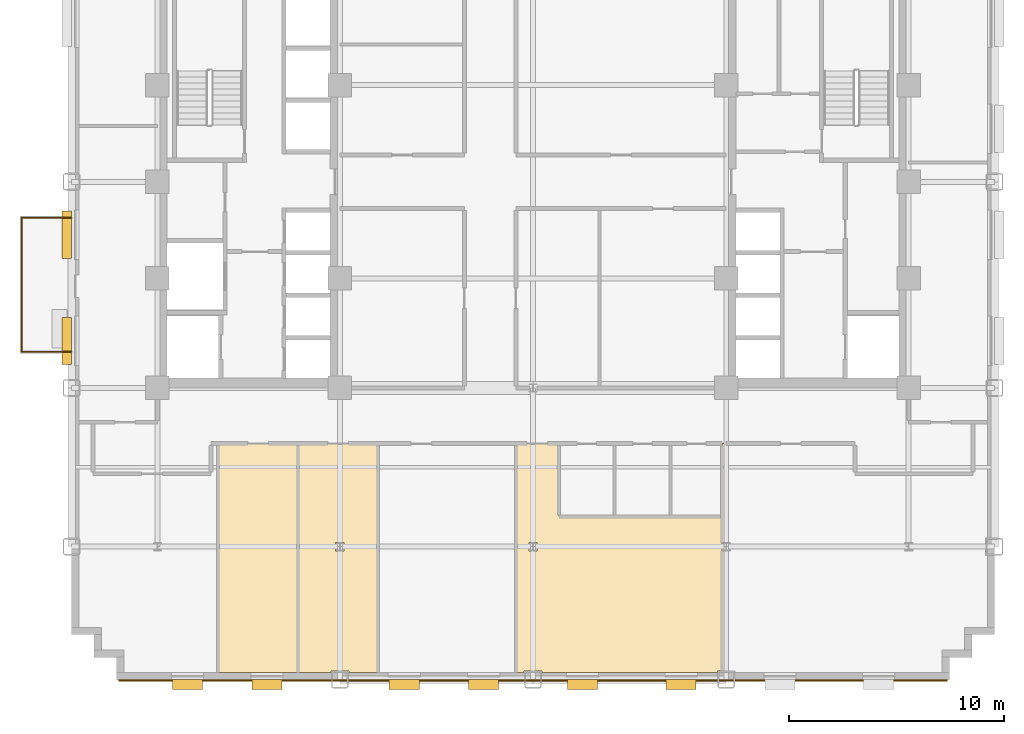
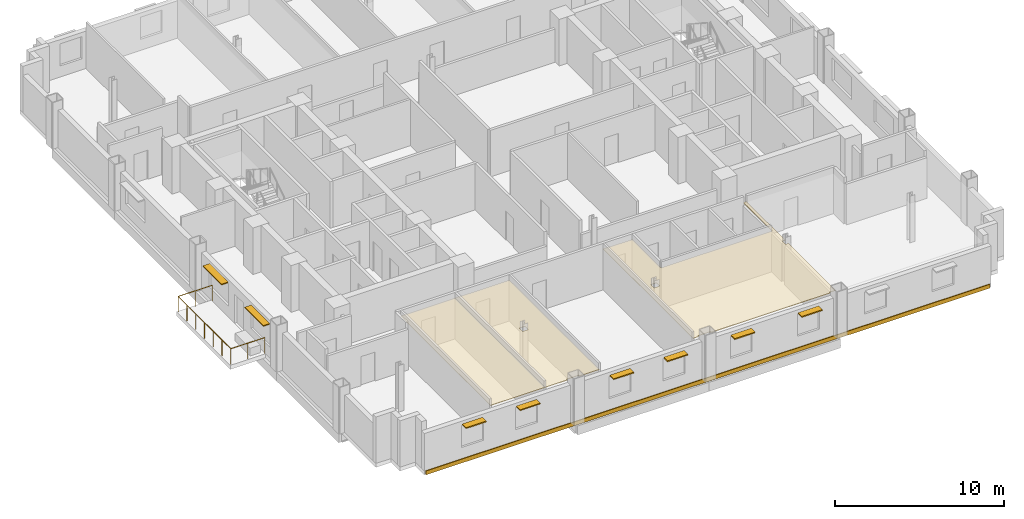
# One storey, part 11 of 14: 8 shading devices, 4 coverings, 1 railing.
"""IFC4 building model written with IfcOpenShell, lengths in metres."""

from ifc_helpers import new_model, si_unit, direction, frame, origin, origin_2d, place, context, subcontext, project, spatial, polyline, rectangle, circle, outline, extrude, source, transform, mapped, material, layer, layer_set, type_object, type_shapes, element, save


model = new_model("IFC4")

# Units and contexts
model_context = context("Model", 3, precision=1e-05, world=origin(), true_north=direction((0.0, 1.0)))
body_context = subcontext(model_context, "Body", "Model", "MODEL_VIEW")
ifc_project = project(units=[si_unit("LENGTHUNIT", "METRE"), si_unit("AREAUNIT", "SQUARE_METRE"), si_unit("VOLUMEUNIT", "CUBIC_METRE"), si_unit("PLANEANGLEUNIT", "RADIAN"), si_unit("MASSUNIT", "GRAM", prefix="KILO")], contexts=[model_context])

# Site, building, storey
site_placement = place(None, origin())
site = spatial("IfcSite", under=ifc_project, at=site_placement, CompositionType="ELEMENT")
building_placement = place(site_placement, origin())
building = spatial("IfcBuilding", under=site, at=building_placement, Name="Nuvemarco Arch Tower", CompositionType="ELEMENT")
storey_placement = place(building_placement, frame((0.0, 0.0, 67.75)))
storey = spatial("IfcBuildingStorey", under=building, at=storey_placement, Name="L17", CompositionType="ELEMENT", Elevation=67.75)

# Coverings
ifc_material_1 = material(Name="Mineral acoustic ceiling tile")
ifc_layer_1 = layer(ifc_material_1, 0.0400390625, Name="COV-ACOUSTIC-CLG")
ifc_layer_set_1 = layer_set([ifc_layer_1], Name="Mineral acoustic ceiling tile")
covering_type_1 = type_object("IfcCoveringType", Name="COV-ACOUSTIC-CLG", PredefinedType="CEILING", material=ifc_layer_set_1)
covering_1_placement = place(storey_placement, frame((0.0, 0.0, 2.85009765625)))
element("IfcCovering", 1, at=covering_1_placement, inside=storey, type_object=covering_type_1, Name="L17 suspended acoustic ceiling 2", PredefinedType="CEILING", context=body_context, shape_type="SweptSolid", body=[
    extrude(outline(polyline([(3.800048828125, -15.60009765625), (6.39990234375, -15.60009765625), (8.800048828125, -15.60009765625), (8.800048828125, -12.199951171875), (9.0, -12.199951171875), (9.0, -16.804931640625), (8.804931640625, -16.804931640625), (8.804931640625, -17.195068359375), (9.0, -17.195068359375), (9.0, -22.784912109375), (8.5849609375, -22.784912109375), (8.5849609375, -22.860107421875), (0.4150390625, -22.860107421875), (0.4150390625, -22.784912109375), (-0.4150390625, -22.784912109375), (-0.4150390625, -22.860107421875), (-0.800048828125, -22.860107421875), (-0.800048828125, -12.199951171875), (1.199951171875, -12.199951171875), (1.199951171875, -15.60009765625), (3.800048828125, -15.60009765625)]), holes=[polyline([(0.195068359375, -17.195068359375), (0.195068359375, -16.804931640625), (-0.195068359375, -16.804931640625), (-0.195068359375, -17.195068359375), (0.195068359375, -17.195068359375)])]), origin(), (0.0, 0.0, 1.0), 0.039794921875),
])
covering_2_placement = place(storey_placement, frame((0.0, 0.0, 2.85009765625)))
element("IfcCovering", 2, at=covering_2_placement, inside=storey, type_object=covering_type_1, Name="L17 suspended acoustic ceiling 8", PredefinedType="CEILING", context=body_context, shape_type="SweptSolid", body=[
    extrude(outline(polyline([(-14.669921875, -22.860107421875), (-14.669921875, -12.199951171875), (-10.93994140625, -12.199951171875), (-10.93994140625, -22.860107421875), (-14.669921875, -22.860107421875)])), origin(), (0.0, 0.0, 1.0), 0.039794921875),
])
covering_3_placement = place(storey_placement, frame((0.0, 0.0, 2.85009765625)))
element("IfcCovering", 3, at=covering_3_placement, inside=storey, type_object=covering_type_1, Name="L17 suspended acoustic ceiling 9", PredefinedType="CEILING", context=body_context, shape_type="SweptSolid", body=[
    extrude(outline(polyline([(-8.5849609375, -22.860107421875), (-8.5849609375, -22.784912109375), (-9.4150390625, -22.784912109375), (-9.4150390625, -22.860107421875), (-10.93994140625, -22.860107421875), (-10.93994140625, -12.199951171875), (-7.219970703125, -12.199951171875), (-7.219970703125, -22.860107421875), (-8.5849609375, -22.860107421875)]), holes=[polyline([(-8.804931640625, -17.195068359375), (-8.804931640625, -16.804931640625), (-9.195068359375, -16.804931640625), (-9.195068359375, -17.195068359375), (-8.804931640625, -17.195068359375)])]), origin(), (0.0, 0.0, 1.0), 0.039794921875),
])

# Railing
ifc_material_2 = material(Name="Dark anodised balustrade steel S355", Category="steel")
railing_type = type_object("IfcRailingType", Name="RL-TERR-GUARD", PredefinedType="BALUSTRADE", material=ifc_material_2)
railing_placement = place(storey_placement, frame((-21.5, -7.919921875, 0.0)))
element("IfcRailing", 4, at=railing_placement, inside=storey, type_object=railing_type, Name="L17 spiral terrace perimeter balustrade guard", PredefinedType="BALUSTRADE", context=body_context, shape_type="SweptSolid", body=[
    extrude(circle(Radius=0.02392578125, at=origin_2d()), frame((0.0, 0.0, 1.1259765625), z_axis=(-1.0, 0.0, 0.0), x_axis=(0.0, -1.0, 0.0)), (0.0, 0.0, 1.0), 2.320068359375),
    extrude(circle(Radius=0.02392578125, at=origin_2d()), frame((-2.320068359375, 0.0, 1.1259765625), z_axis=(0.0, 1.0, 0.0), x_axis=(-1.0, 0.0, 0.0)), (0.0, 0.0, 1.0), 6.239990234375),
    extrude(circle(Radius=0.02392578125, at=origin_2d()), frame((-2.320068359375, 6.239990234375, 1.1259765625), z_axis=(1.0, 0.0, 0.0), x_axis=(0.0, 1.0, 0.0)), (0.0, 0.0, 1.0), 2.320068359375),
    extrude(circle(Radius=0.02099609375, at=origin_2d()), origin(), (0.0, 0.0, 1.0), 1.101806640625),
    extrude(circle(Radius=0.02099609375, at=origin_2d()), frame((-1.16015625, 0.0, 0.0)), (0.0, 0.0, 1.0), 1.101806640625),
    extrude(circle(Radius=0.02099609375, at=origin_2d()), frame((-2.320068359375, 0.0, 0.0)), (0.0, 0.0, 1.0), 1.101806640625),
    extrude(circle(Radius=0.02099609375, at=origin_2d()), frame((-2.320068359375, 1.0400390625, 0.0)), (0.0, 0.0, 1.0), 1.101806640625),
    extrude(circle(Radius=0.02099609375, at=origin_2d()), frame((-2.320068359375, 2.080078125, 0.0)), (0.0, 0.0, 1.0), 1.101806640625),
    extrude(circle(Radius=0.02099609375, at=origin_2d()), frame((-2.320068359375, 3.1201171875, 0.0)), (0.0, 0.0, 1.0), 1.101806640625),
    extrude(circle(Radius=0.02099609375, at=origin_2d()), frame((-2.320068359375, 4.159912109375, 0.0)), (0.0, 0.0, 1.0), 1.101806640625),
    extrude(circle(Radius=0.02099609375, at=origin_2d()), frame((-2.320068359375, 5.199951171875, 0.0)), (0.0, 0.0, 1.0), 1.101806640625),
    extrude(circle(Radius=0.02099609375, at=origin_2d()), frame((-2.320068359375, 6.239990234375, 0.0)), (0.0, 0.0, 1.0), 1.101806640625),
    extrude(circle(Radius=0.02099609375, at=origin_2d()), frame((-1.16015625, 6.239990234375, 0.0)), (0.0, 0.0, 1.0), 1.101806640625),
    extrude(circle(Radius=0.02099609375, at=origin_2d()), frame((0.0, 6.239990234375, 0.0)), (0.0, 0.0, 1.0), 1.101806640625),
])

# Shading devices
ifc_material_3 = material(Name="Anodised aluminium 6063-T6", Category="aluminium")
shading_device_type_1 = type_object("IfcShadingDeviceType", Name="SHD-BRISE-SOLEIL", PredefinedType="USERDEFINED", material=ifc_material_3)
shared_shape_1 = source(origin(), body_context, "Body", "SweptSolid", [
    extrude(rectangle(XDim=2.199951171875, YDim=0.449951171875, at=origin_2d()), origin(), (0.0, 0.0, 1.0), 0.080078125),
])
type_shapes(shading_device_type_1, [shared_shape_1])
for number, where, z_axis, x_axis, name in (
    (5, (-21.715087890625, -7.41162109375, 2.425048828125), (0.0, 0.0, 1.0), (0.0, 1.0, 0.0), "L17 horizontal brise-soleil sunshade"),
    (6, (-21.715087890625, -2.470458984375, 2.425048828125), (0.0, 0.0, 1.0), (0.0, 1.0, 0.0), "L17 horizontal brise-soleil sunshade"),
):
    element("IfcShadingDevice", number, at=place(storey_placement, frame(where, z_axis=z_axis, x_axis=x_axis)), inside=storey, type_object=shading_device_type_1, Name=name, ObjectType="SUNSHADE", PredefinedType="USERDEFINED", context=body_context, shape_type="MappedRepresentation", body=[
        mapped(shared_shape_1, transform((0.0, 0.0, 0.0), scale=1.0)),
    ])
shading_device_type_2 = type_object("IfcShadingDeviceType", Name="SHD-BRISE-NARROW", PredefinedType="USERDEFINED", material=ifc_material_3)
shared_shape_2 = source(origin(), body_context, "Body", "SweptSolid", [
    extrude(rectangle(XDim=1.39990234375, YDim=0.449951171875, at=origin_2d()), origin(), (0.0, 0.0, 1.0), 0.080078125),
])
type_shapes(shading_device_type_2, [shared_shape_2])
for number, where, z_axis, x_axis, name in (
    (7, (-16.10009765625, -23.4150390625, 2.405029296875), (0.0, 0.0, 1.0), (1.0, 0.0, 0.0), "L17 horizontal brise-soleil sunshade"),
    (8, (-12.39990234375, -23.4150390625, 2.405029296875), (0.0, 0.0, 1.0), (1.0, 0.0, 0.0), "L17 horizontal brise-soleil sunshade"),
    (9, (-6.0, -23.4150390625, 2.405029296875), (0.0, 0.0, 1.0), (1.0, 0.0, 0.0), "L17 horizontal brise-soleil sunshade"),
    (10, (-2.300048828125, -23.4150390625, 2.405029296875), (0.0, 0.0, 1.0), (1.0, 0.0, 0.0), "L17 horizontal brise-soleil sunshade"),
    (11, (2.300048828125, -23.4150390625, 2.405029296875), (0.0, 0.0, 1.0), (1.0, 0.0, 0.0), "L17 horizontal brise-soleil sunshade"),
    (12, (6.89990234375, -23.4150390625, 2.405029296875), (0.0, 0.0, 1.0), (1.0, 0.0, 0.0), "L17 horizontal brise-soleil sunshade"),
):
    element("IfcShadingDevice", number, at=place(storey_placement, frame(where, z_axis=z_axis, x_axis=x_axis)), inside=storey, type_object=shading_device_type_2, Name=name, ObjectType="SUNSHADE", PredefinedType="USERDEFINED", context=body_context, shape_type="MappedRepresentation", body=[
        mapped(shared_shape_2, transform((0.0, 0.0, 0.0), scale=1.0)),
    ])

# Covering
ifc_material_4 = material(Name="Precast concrete C45/55", Category="concrete")
ifc_layer_2 = layer(ifc_material_4, 0.06005859375, Name="COV-SPANDREL-CLAD")
ifc_layer_set_2 = layer_set([ifc_layer_2], Name="Precast concrete C45/55")
covering_type_2 = type_object("IfcCoveringType", Name="COV-SPANDREL-CLAD", PredefinedType="CLADDING", material=ifc_layer_set_2)
shared_shape_3 = source(origin(), body_context, "Body", "SweptSolid", [
    extrude(rectangle(XDim=38.60009765625, YDim=0.06005859375, at=origin_2d()), origin(), (0.0, 0.0, 1.0), 0.280029296875),
])
type_shapes(covering_type_2, [shared_shape_3])
covering_4_placement = place(storey_placement, frame((0.0, -23.22900390625, -0.27978515625), z_axis=(0.0, 0.0, 1.0), x_axis=(1.0, 0.0, 0.0)))
element("IfcCovering", 13, at=covering_4_placement, inside=storey, type_object=covering_type_2, Name="L17 precast spandrel edge cladding south", PredefinedType="CLADDING", context=body_context, shape_type="MappedRepresentation", body=[
    mapped(shared_shape_3, transform((0.0, 0.0, 0.0), scale=1.0)),
])

save(model, "model.ifc")
